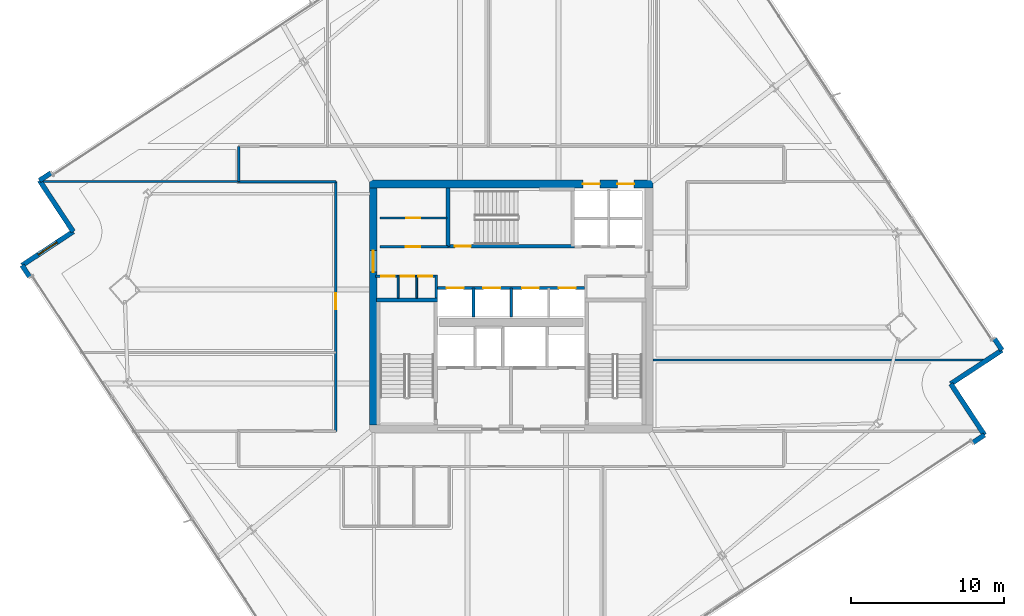
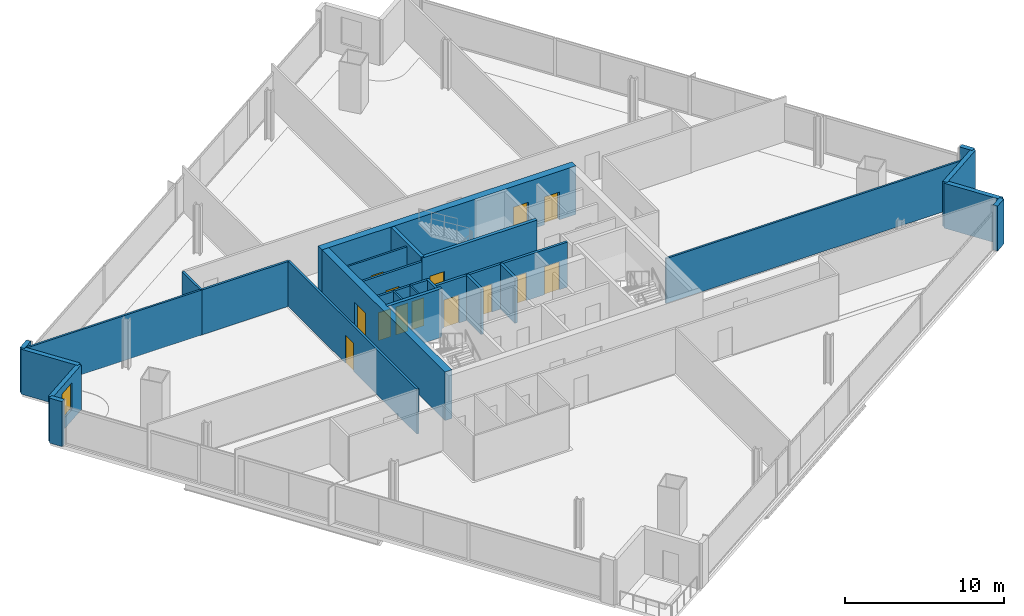
# One storey, part 22 of 29: 27 walls, 14 doors, 1 window, 15 openings.
"""IFC4 building model written with IfcOpenShell, lengths in metres."""

from ifc_helpers import new_model, si_unit, direction, frame, frame_2d, origin, place, context, subcontext, project, spatial, rectangle, extrude, material, layer, layer_set, type_object, element, fill, save


model = new_model("IFC4")

# Units and contexts
model_context = context("Model", 3, precision=1e-05, world=origin(), true_north=direction((0.0, 1.0)))
body_context = subcontext(model_context, "Body", "Model", "MODEL_VIEW")
ifc_project = project(units=[si_unit("LENGTHUNIT", "METRE"), si_unit("AREAUNIT", "SQUARE_METRE"), si_unit("VOLUMEUNIT", "CUBIC_METRE"), si_unit("PLANEANGLEUNIT", "RADIAN"), si_unit("MASSUNIT", "GRAM", prefix="KILO")], contexts=[model_context])

# Site, building, storey
site_placement = place(None, origin())
site = spatial("IfcSite", under=ifc_project, at=site_placement, CompositionType="ELEMENT")
building_placement = place(site_placement, origin())
building = spatial("IfcBuilding", under=site, at=building_placement, Name="Haldenkirk Collegiate Tower", CompositionType="ELEMENT")
storey_placement = place(building_placement, frame((0.0, 0.0, 140.699951171875)))
storey = spatial("IfcBuildingStorey", under=building, at=storey_placement, Name="L34", CompositionType="ELEMENT", Elevation=140.699951171875)

# Wall, openings, doors
ifc_material_1 = material(Name="Concrete f'c 55 MPa", Category="concrete")
ifc_layer_1 = layer(ifc_material_1, 0.5)
ifc_layer_set_1 = layer_set([ifc_layer_1], Name="Concrete f'c 55 MPa")
wall_type_1 = type_object("IfcWallType", Name="WL-CORE-500", PredefinedType="SHEAR", material=ifc_layer_set_1)
wall_1_placement = place(storey_placement, frame((26.75, 34.0, 0.0), z_axis=(0.0, 0.0, 1.0), x_axis=(1.0, 0.0, 0.0)))
wall_1 = element("IfcWall", 1, at=wall_1_placement, inside=storey, type_object=wall_type_1, Name="L34 central core shear wall N", PredefinedType="SHEAR", context=body_context, shape_type="SweptSolid", body=[
    extrude(rectangle(XDim=18.5, YDim=0.5, at=frame_2d((9.25, 0.0))), origin(), (0.0, 0.0, 1.0), 3.75),
])
opening_1_placement = place(wall_1_placement, frame((13.93505859375, 0.0, 0.0)))
opening_1 = element("IfcOpeningElement", 2, at=opening_1_placement, cuts=wall_1, Name="Opening LD-11", PredefinedType="OPENING", context=body_context, shape_type="SweptSolid", body=[
    extrude(rectangle(XDim=1.10009765625, YDim=2.14990234375, at=frame_2d((0.550048828125, 1.074951171875))), frame((0.0, 0.260009765625, 0.0), z_axis=(0.0, -1.0, 0.0), x_axis=(1.0, 0.0, 0.0)), (0.0, 0.0, 1.0), 0.52001953125),
])
opening_2_placement = place(wall_1_placement, frame((16.18505859375, 0.0, 0.0)))
opening_2 = element("IfcOpeningElement", 3, at=opening_2_placement, cuts=wall_1, Name="Opening LD-11", PredefinedType="OPENING", context=body_context, shape_type="SweptSolid", body=[
    extrude(rectangle(XDim=1.10009765625, YDim=2.14990234375, at=frame_2d((0.550048828125, 1.074951171875))), frame((0.0, 0.260009765625, 0.0), z_axis=(0.0, -1.0, 0.0), x_axis=(1.0, 0.0, 0.0)), (0.0, 0.0, 1.0), 0.52001953125),
])
ifc_material_2 = material(Name="Brushed architectural stainless steel", Category="steel")
ifc_layer_2 = layer(ifc_material_2, 0.06005859375)
ifc_layer_set_2 = layer_set([ifc_layer_2], Name="Brushed architectural stainless steel")
door_type_1 = type_object("IfcDoorType", Name="LD-PASS-1100", OperationType="NOTDEFINED", PredefinedType="DOOR", material=ifc_layer_set_2)
door_1_placement = place(opening_1_placement, origin())
door_1 = element("IfcDoor", 4, at=door_1_placement, inside=storey, type_object=door_type_1, Name="L34 Elevator PM3 sliding landing door", OperationType="SLIDING_TO_LEFT", OverallHeight=2.14990234375, OverallWidth=1.10009765625, PredefinedType="DOOR", context=body_context, shape_type="SweptSolid", body=[
    extrude(rectangle(XDim=1.10009765625, YDim=2.14990234375, at=frame_2d((0.550048828125, 1.074951171875))), frame((0.0, 0.02490234375, 0.0), z_axis=(0.0, -1.0, 0.0), x_axis=(1.0, 0.0, 0.0)), (0.0, 0.0, 1.0), 0.050048828125),
])
fill(opening_1, door_1)
door_2_placement = place(opening_2_placement, origin())
door_2 = element("IfcDoor", 5, at=door_2_placement, inside=storey, type_object=door_type_1, Name="L34 Elevator PM4 sliding landing door", OperationType="SLIDING_TO_LEFT", OverallHeight=2.14990234375, OverallWidth=1.10009765625, PredefinedType="DOOR", context=body_context, shape_type="SweptSolid", body=[
    extrude(rectangle(XDim=1.10009765625, YDim=2.14990234375, at=frame_2d((0.550048828125, 1.074951171875))), frame((0.0, 0.02490234375, 0.0), z_axis=(0.0, -1.0, 0.0), x_axis=(1.0, 0.0, 0.0)), (0.0, 0.0, 1.0), 0.050048828125),
])
fill(opening_2, door_2)

# Wall, opening, door
wall_2_placement = place(storey_placement, frame((27.0, 18.25, 0.0), z_axis=(0.0, 0.0, 1.0), x_axis=(0.0, 1.0, 0.0)))
wall_2 = element("IfcWall", 6, at=wall_2_placement, inside=storey, type_object=wall_type_1, Name="L34 central core shear wall W", PredefinedType="SHEAR", context=body_context, shape_type="SweptSolid", body=[
    extrude(rectangle(XDim=15.5, YDim=0.5, at=frame_2d((7.75, 0.0))), origin(), (0.0, 0.0, 1.0), 3.75),
])
opening_3_placement = place(wall_2_placement, frame((9.989990234375, 0.0, 0.0)))
opening_3 = element("IfcOpeningElement", 7, at=opening_3_placement, cuts=wall_2, Name="Opening D-03", PredefinedType="OPENING", context=body_context, shape_type="SweptSolid", body=[
    extrude(rectangle(XDim=1.39990234375, YDim=2.199951171875, at=frame_2d((0.699951171875, 1.10009765625))), frame((0.0, 0.260009765625, 0.0), z_axis=(0.0, -1.0, 0.0), x_axis=(1.0, 0.0, 0.0)), (0.0, 0.0, 1.0), 0.52001953125),
])
ifc_material_3 = material(Name="Galvanized fire-rated hollow steel door", Category="steel")
ifc_layer_3 = layer(ifc_material_3, 0.06005859375)
ifc_layer_set_3 = layer_set([ifc_layer_3], Name="Galvanized fire-rated hollow steel door")
door_type_2 = type_object("IfcDoorType", Name="DR-LOBBY-FD90-1400", OperationType="NOTDEFINED", PredefinedType="DOOR", material=ifc_layer_set_3)
door_3_placement = place(opening_3_placement, origin())
door_3 = element("IfcDoor", 8, at=door_3_placement, inside=storey, type_object=door_type_2, Name="L34 west lift lobby portal", OperationType="DOUBLE_DOOR_SINGLE_SWING", OverallHeight=2.199951171875, OverallWidth=1.39990234375, PredefinedType="DOOR", context=body_context, shape_type="SweptSolid", body=[
    extrude(rectangle(XDim=1.39990234375, YDim=2.199951171875, at=frame_2d((0.699951171875, 1.10009765625))), frame((0.0, 0.02490234375, 0.0), z_axis=(0.0, -1.0, 0.0), x_axis=(1.0, 0.0, 0.0)), (0.0, 0.0, 1.0), 0.050048828125),
])
fill(opening_3, door_3)

# Walls
ifc_material_4 = material(Name="Precast concrete f'c 40 MPa", Category="concrete")
ifc_layer_4 = layer(ifc_material_4, 0.320068359375)
ifc_layer_set_4 = layer_set([ifc_layer_4], Name="Precast concrete f'c 40 MPa")
wall_type_2 = type_object("IfcWallType", Name="WL-EXT-TWR-320", PredefinedType="STANDARD", material=ifc_layer_set_4)
wall_3_placement = place(storey_placement, frame((66.903076171875, 17.60693359375, 0.0), z_axis=(0.0, 0.0, 1.0), x_axis=(-0.835331867967, -0.549746005314, 0.0)))
element("IfcWall", 9, at=wall_3_placement, inside=storey, type_object=wall_type_2, Name="L34 precast corner pier SL", PredefinedType="STANDARD", context=body_context, shape_type="SweptSolid", body=[
    extrude(rectangle(XDim=0.900146484375, YDim=0.320068359375, at=frame_2d((0.4501953125, 0.0))), origin(), (0.0, 0.0, 1.0), 3.4599609375),
])
for number, where, z_axis, x_axis, name in (
    (10, (64.7041015625, 20.9482421875, 0.0), (0.0, 0.0, 1.0), (0.549746530767, -0.835331522158, 0.0), "L34 bronze precast notch wall 02"),
    (11, (68.04541015625, 23.147216796875, 0.0), (0.0, 0.0, 1.0), (-0.835331522158, -0.549746530767, 0.0), "L34 bronze precast notch wall 03"),
):
    element("IfcWall", number, at=place(storey_placement, frame(where, z_axis=z_axis, x_axis=x_axis)), inside=storey, type_object=wall_type_2, Name=name, PredefinedType="STANDARD", context=body_context, shape_type="SweptSolid", body=[
        extrude(rectangle(XDim=4.0, YDim=0.320068359375, at=frame_2d((2.0, 0.0))), origin(), (0.0, 0.0, 1.0), 3.4599609375),
    ])
for number, where, z_axis, x_axis, name in (
    (12, (67.550537109375, 23.89892578125, 0.0), (0.0, 0.0, 1.0), (0.549870573331, -0.83524987434, 0.0), "L34 precast corner pier ER"),
    (13, (5.20703125, 34.22607421875, 0.0), (0.0, 0.0, 1.0), (0.83524987434, 0.549870573331, 0.0), "L34 precast corner pier NL"),
):
    element("IfcWall", number, at=place(storey_placement, frame(where, z_axis=z_axis, x_axis=x_axis)), inside=storey, type_object=wall_type_2, Name=name, PredefinedType="STANDARD", context=body_context, shape_type="SweptSolid", body=[
        extrude(rectangle(XDim=0.89990234375, YDim=0.320068359375, at=frame_2d((0.449951171875, 0.0))), origin(), (0.0, 0.0, 1.0), 3.4599609375),
    ])
wall_4_placement = place(storey_placement, frame((7.406005859375, 30.884765625, 0.0), z_axis=(0.0, 0.0, 1.0), x_axis=(-0.549746530767, 0.835331522158, 0.0)))
element("IfcWall", 14, at=wall_4_placement, inside=storey, type_object=wall_type_2, Name="L34 bronze precast notch wall 08", PredefinedType="STANDARD", context=body_context, shape_type="SweptSolid", body=[
    extrude(rectangle(XDim=4.0, YDim=0.320068359375, at=frame_2d((2.0, 0.0))), origin(), (0.0, 0.0, 1.0), 3.4599609375),
])

# Wall, opening, window
wall_5_placement = place(storey_placement, frame((4.064697265625, 28.685791015625, 0.0), z_axis=(0.0, 0.0, 1.0), x_axis=(0.835331522158, 0.549746530767, 0.0)))
wall_5 = element("IfcWall", 15, at=wall_5_placement, inside=storey, type_object=wall_type_2, Name="L34 bronze precast notch wall 09", PredefinedType="STANDARD", context=body_context, shape_type="SweptSolid", body=[
    extrude(rectangle(XDim=4.0, YDim=0.320068359375, at=frame_2d((2.0, 0.0))), origin(), (0.0, 0.0, 1.0), 3.4599609375),
])
opening_4_placement = place(wall_5_placement, frame((1.27490234375, 0.0, 0.85009765625)))
opening_4 = element("IfcOpeningElement", 16, at=opening_4_placement, cuts=wall_5, Name="Opening W-05", PredefinedType="OPENING", context=body_context, shape_type="SweptSolid", body=[
    extrude(rectangle(XDim=1.449951171875, YDim=2.050048828125, at=frame_2d((0.72509765625, 1.02490234375))), frame((0.0, 0.169921875, 0.0), z_axis=(0.0, -1.0, 0.0), x_axis=(1.0, 0.0, 0.0)), (0.0, 0.0, 1.0), 0.340087890625),
])
ifc_material_5 = material(Name="Low-E argon triple insulating glass", Category="glass")
ifc_layer_5 = layer(ifc_material_5, 0.090087890625)
ifc_layer_set_5 = layer_set([ifc_layer_5], Name="Low-E argon triple insulating glass")
window_type = type_object("IfcWindowType", Name="WN-Z3-1450X2050", PartitioningType="SINGLE_PANEL", PredefinedType="WINDOW", material=ifc_layer_set_5)
window_placement = place(opening_4_placement, origin())
window = element("IfcWindow", 17, at=window_placement, inside=storey, type_object=window_type, Name="L34 precast-frame academic window 8", OverallHeight=2.050048828125, OverallWidth=1.449951171875, PartitioningType="SINGLE_PANEL", PredefinedType="WINDOW", context=body_context, shape_type="SweptSolid", body=[
    extrude(rectangle(XDim=1.449951171875, YDim=2.050048828125, at=frame_2d((0.72509765625, 1.02490234375))), frame((0.0, 0.030029296875, 0.0), z_axis=(0.0, -1.0, 0.0), x_axis=(1.0, 0.0, 0.0)), (0.0, 0.0, 1.0), 0.06005859375),
])
fill(opening_4, window)

# Wall
wall_6_placement = place(storey_placement, frame((4.559326171875, 27.933837890625, 0.0), z_axis=(0.0, 0.0, 1.0), x_axis=(-0.549556717107, 0.835456411001, 0.0)))
element("IfcWall", 18, at=wall_6_placement, inside=storey, type_object=wall_type_2, Name="L34 precast corner pier WR", PredefinedType="STANDARD", context=body_context, shape_type="SweptSolid", body=[
    extrude(rectangle(XDim=0.900146484375, YDim=0.320068359375, at=frame_2d((0.4501953125, 0.0))), origin(), (0.0, 0.0, 1.0), 3.4599609375),
])

# Wall, openings, doors
ifc_material_6 = material(Name="Acoustic fire-rated gypsum partition", Category="concrete")
ifc_layer_6 = layer(ifc_material_6, 0.159912109375)
ifc_layer_set_6 = layer_set([ifc_layer_6], Name="Acoustic fire-rated gypsum partition")
wall_type_3 = type_object("IfcWallType", Name="WL-INT-CORR-160", PredefinedType="PARTITIONING", material=ifc_layer_set_6)
wall_7_placement = place(storey_placement, frame((27.14990234375, 27.97998046875, 0.0), z_axis=(0.0, 0.0, 1.0), x_axis=(1.0, 0.0, 0.0)))
wall_7 = element("IfcWall", 19, at=wall_7_placement, inside=storey, type_object=wall_type_3, Name="L34 interior partition IW-L34-VCSW-N", PredefinedType="PARTITIONING", context=body_context, shape_type="SweptSolid", body=[
    extrude(rectangle(XDim=4.050048828125, YDim=0.159912109375, at=frame_2d((2.02490234375, 0.0))), origin(), (0.0, 0.0, 1.0), 3.4599609375),
])
opening_5_placement = place(wall_7_placement, frame((0.360107421875, 0.0, 0.0)))
opening_5 = element("IfcOpeningElement", 20, at=opening_5_placement, cuts=wall_7, Name="Opening D-11", PredefinedType="OPENING", context=body_context, shape_type="SweptSolid", body=[
    extrude(rectangle(XDim=0.89990234375, YDim=2.14990234375, at=frame_2d((0.449951171875, 1.074951171875))), frame((0.0, 0.08984375, 0.0), z_axis=(0.0, -1.0, 0.0), x_axis=(1.0, 0.0, 0.0)), (0.0, 0.0, 1.0), 0.179931640625),
])
opening_6_placement = place(wall_7_placement, frame((1.6298828125, 0.0, 0.0)))
opening_6 = element("IfcOpeningElement", 21, at=opening_6_placement, cuts=wall_7, Name="Opening D-11", PredefinedType="OPENING", context=body_context, shape_type="SweptSolid", body=[
    extrude(rectangle(XDim=0.89990234375, YDim=2.14990234375, at=frame_2d((0.449951171875, 1.074951171875))), frame((0.0, 0.08984375, 0.0), z_axis=(0.0, -1.0, 0.0), x_axis=(1.0, 0.0, 0.0)), (0.0, 0.0, 1.0), 0.179931640625),
])
opening_7_placement = place(wall_7_placement, frame((2.78759765625, 0.0, 0.0)))
opening_7 = element("IfcOpeningElement", 22, at=opening_7_placement, cuts=wall_7, Name="Opening D-11", PredefinedType="OPENING", context=body_context, shape_type="SweptSolid", body=[
    extrude(rectangle(XDim=0.89990234375, YDim=2.14990234375, at=frame_2d((0.449951171875, 1.074951171875))), frame((0.0, 0.08984375, 0.0), z_axis=(0.0, -1.0, 0.0), x_axis=(1.0, 0.0, 0.0)), (0.0, 0.0, 1.0), 0.179931640625),
])
ifc_material_7 = material(Name="Solid-core architectural oak fire door", Category="wood")
ifc_layer_7 = layer(ifc_material_7, 0.06005859375)
ifc_layer_set_7 = layer_set([ifc_layer_7], Name="Solid-core architectural oak fire door")
door_type_3 = type_object("IfcDoorType", Name="DR-INT-FD60-900", OperationType="NOTDEFINED", PredefinedType="DOOR", material=ifc_layer_set_7)
door_4_placement = place(opening_5_placement, origin())
door_4 = element("IfcDoor", 23, at=door_4_placement, inside=storey, type_object=door_type_3, Name="L34 core study booth door", OperationType="SINGLE_SWING_RIGHT", OverallHeight=2.14990234375, OverallWidth=0.89990234375, PredefinedType="DOOR", context=body_context, shape_type="SweptSolid", body=[
    extrude(rectangle(XDim=0.89990234375, YDim=2.14990234375, at=frame_2d((0.449951171875, 1.074951171875))), frame((0.0, 0.02490234375, 0.0), z_axis=(0.0, -1.0, 0.0), x_axis=(1.0, 0.0, 0.0)), (0.0, 0.0, 1.0), 0.050048828125),
])
fill(opening_5, door_4)
door_5_placement = place(opening_6_placement, origin())
door_5 = element("IfcDoor", 24, at=door_5_placement, inside=storey, type_object=door_type_3, Name="L34 core cleaners door", OperationType="SINGLE_SWING_LEFT", OverallHeight=2.14990234375, OverallWidth=0.89990234375, PredefinedType="DOOR", context=body_context, shape_type="SweptSolid", body=[
    extrude(rectangle(XDim=0.89990234375, YDim=2.14990234375, at=frame_2d((0.449951171875, 1.074951171875))), frame((0.0, 0.02490234375, 0.0), z_axis=(0.0, -1.0, 0.0), x_axis=(1.0, 0.0, 0.0)), (0.0, 0.0, 1.0), 0.050048828125),
])
fill(opening_6, door_5)
door_6_placement = place(opening_7_placement, origin())
door_6 = element("IfcDoor", 25, at=door_6_placement, inside=storey, type_object=door_type_3, Name="L34 core stationery door", OperationType="SINGLE_SWING_RIGHT", OverallHeight=2.14990234375, OverallWidth=0.89990234375, PredefinedType="DOOR", context=body_context, shape_type="SweptSolid", body=[
    extrude(rectangle(XDim=0.89990234375, YDim=2.14990234375, at=frame_2d((0.449951171875, 1.074951171875))), frame((0.0, 0.02490234375, 0.0), z_axis=(0.0, -1.0, 0.0), x_axis=(1.0, 0.0, 0.0)), (0.0, 0.0, 1.0), 0.050048828125),
])
fill(opening_7, door_6)

# Wall
wall_8_placement = place(storey_placement, frame((31.1201171875, 26.5400390625, 0.0), z_axis=(0.0, 0.0, 1.0), x_axis=(0.0, 1.0, 0.0)))
element("IfcWall", 26, at=wall_8_placement, inside=storey, type_object=wall_type_3, Name="L34 interior partition IW-L34-VCSW-E", PredefinedType="PARTITIONING", context=body_context, shape_type="SweptSolid", body=[
    extrude(rectangle(XDim=1.510009765625, YDim=0.159912109375, at=frame_2d((0.7548828125, 0.0))), origin(), (0.0, 0.0, 1.0), 3.4599609375),
])

# Wall, opening, door
wall_9_placement = place(storey_placement, frame((27.449951171875, 29.89990234375, 0.0), z_axis=(0.0, 0.0, 1.0), x_axis=(1.0, 0.0, 0.0)))
wall_9 = element("IfcWall", 27, at=wall_9_placement, inside=storey, type_object=wall_type_3, Name="L34 interior partition IW-L34-PLS", PredefinedType="PARTITIONING", context=body_context, shape_type="SweptSolid", body=[
    extrude(rectangle(XDim=4.429931640625, YDim=0.159912109375, at=frame_2d((2.21484375, 0.0))), origin(), (0.0, 0.0, 1.0), 3.4599609375),
])
opening_8_placement = place(wall_9_placement, frame((1.675048828125, 0.0, 0.0)))
opening_8 = element("IfcOpeningElement", 28, at=opening_8_placement, cuts=wall_9, Name="Opening D-10", PredefinedType="OPENING", context=body_context, shape_type="SweptSolid", body=[
    extrude(rectangle(XDim=0.949951171875, YDim=2.14990234375, at=frame_2d((0.47509765625, 1.074951171875))), frame((0.0, 0.08984375, 0.0), z_axis=(0.0, -1.0, 0.0), x_axis=(1.0, 0.0, 0.0)), (0.0, 0.0, 1.0), 0.179931640625),
])
ifc_layer_8 = layer(ifc_material_7, 0.06005859375)
ifc_layer_set_8 = layer_set([ifc_layer_8], Name="Solid-core architectural oak fire door")
door_type_4 = type_object("IfcDoorType", Name="DR-INT-FD60-950", OperationType="NOTDEFINED", PredefinedType="DOOR", material=ifc_layer_set_8)
door_7_placement = place(opening_8_placement, origin())
door_7 = element("IfcDoor", 29, at=door_7_placement, inside=storey, type_object=door_type_4, Name="L34 consultation door", OperationType="SINGLE_SWING_RIGHT", OverallHeight=2.14990234375, OverallWidth=0.949951171875, PredefinedType="DOOR", context=body_context, shape_type="SweptSolid", body=[
    extrude(rectangle(XDim=0.949951171875, YDim=2.14990234375, at=frame_2d((0.47509765625, 1.074951171875))), frame((0.0, 0.02490234375, 0.0), z_axis=(0.0, -1.0, 0.0), x_axis=(1.0, 0.0, 0.0)), (0.0, 0.0, 1.0), 0.050048828125),
])
fill(opening_8, door_7)

# Wall
wall_10_placement = place(storey_placement, frame((18.199951171875, 34.14990234375, 0.0), z_axis=(0.0, 0.0, 1.0), x_axis=(1.0, 0.0, 0.0)))
element("IfcWall", 30, at=wall_10_placement, inside=storey, type_object=wall_type_3, Name="L34 interior partition IW-L34-CNW", PredefinedType="PARTITIONING", context=body_context, shape_type="SweptSolid", body=[
    extrude(rectangle(XDim=6.35009765625, YDim=0.159912109375, at=frame_2d((3.175048828125, 0.0))), origin(), (0.0, 0.0, 1.0), 3.4599609375),
])

# Wall, opening, door
wall_11_placement = place(storey_placement, frame((24.550048828125, 17.85009765625, 0.0), z_axis=(0.0, 0.0, 1.0), x_axis=(0.0, 1.0, 0.0)))
wall_11 = element("IfcWall", 31, at=wall_11_placement, inside=storey, type_object=wall_type_3, Name="L34 interior partition IW-L34-CW", PredefinedType="PARTITIONING", context=body_context, shape_type="SweptSolid", body=[
    extrude(rectangle(XDim=16.2998046875, YDim=0.159912109375, at=frame_2d((8.14990234375, 0.0))), origin(), (0.0, 0.0, 1.0), 3.4599609375),
])
opening_9_placement = place(wall_11_placement, frame((7.967041015625, 0.0, 0.0)))
opening_9 = element("IfcOpeningElement", 32, at=opening_9_placement, cuts=wall_11, Name="Opening D-09", PredefinedType="OPENING", context=body_context, shape_type="SweptSolid", body=[
    extrude(rectangle(XDim=1.050048828125, YDim=2.14990234375, at=frame_2d((0.52490234375, 1.074951171875))), frame((0.0, 0.08984375, 0.0), z_axis=(0.0, -1.0, 0.0), x_axis=(1.0, 0.0, 0.0)), (0.0, 0.0, 1.0), 0.179931640625),
])
ifc_layer_9 = layer(ifc_material_7, 0.06005859375)
ifc_layer_set_9 = layer_set([ifc_layer_9], Name="Solid-core architectural oak fire door")
door_type_5 = type_object("IfcDoorType", Name="DR-INT-FD60-1050", OperationType="NOTDEFINED", PredefinedType="DOOR", material=ifc_layer_set_9)
door_8_placement = place(opening_9_placement, origin())
door_8 = element("IfcDoor", 33, at=door_8_placement, inside=storey, type_object=door_type_5, Name="L34 Rare Folio Vault 8 door", OperationType="SINGLE_SWING_RIGHT", OverallHeight=2.14990234375, OverallWidth=1.050048828125, PredefinedType="DOOR", context=body_context, shape_type="SweptSolid", body=[
    extrude(rectangle(XDim=1.050048828125, YDim=2.14990234375, at=frame_2d((0.52490234375, 1.074951171875))), frame((0.0, 0.02490234375, 0.0), z_axis=(0.0, -1.0, 0.0), x_axis=(1.0, 0.0, 0.0)), (0.0, 0.0, 1.0), 0.050048828125),
])
fill(opening_9, door_8)

# Wall
wall_12_placement = place(storey_placement, frame((18.199951171875, 34.14990234375, 0.0), z_axis=(0.0, 0.0, 1.0), x_axis=(0.0, 1.0, 0.0)))
element("IfcWall", 34, at=wall_12_placement, inside=storey, type_object=wall_type_3, Name="L34 interior partition IW-L34-CNL", PredefinedType="PARTITIONING", context=body_context, shape_type="SweptSolid", body=[
    extrude(rectangle(XDim=2.300048828125, YDim=0.159912109375, at=frame_2d((1.14990234375, 0.0))), origin(), (0.0, 0.0, 1.0), 3.4599609375),
])

# Wall, opening, door
ifc_layer_10 = layer(ifc_material_6, 0.139892578125)
ifc_layer_set_10 = layer_set([ifc_layer_10], Name="Acoustic fire-rated gypsum partition")
wall_type_4 = type_object("IfcWallType", Name="WL-INT-DIV-140", PredefinedType="PARTITIONING", material=ifc_layer_set_10)
wall_13_placement = place(storey_placement, frame((27.449951171875, 31.780029296875, 0.0), z_axis=(0.0, 0.0, 1.0), x_axis=(1.0, 0.0, 0.0)))
wall_13 = element("IfcWall", 35, at=wall_13_placement, inside=storey, type_object=wall_type_4, Name="L34 interior partition IW-L34-PLDIVH", PredefinedType="PARTITIONING", context=body_context, shape_type="SweptSolid", body=[
    extrude(rectangle(XDim=4.35009765625, YDim=0.139892578125, at=frame_2d((2.175048828125, 0.0))), origin(), (0.0, 0.0, 1.0), 3.4599609375),
])
opening_10_placement = place(wall_13_placement, frame((1.699951171875, 0.0, 0.0)))
opening_10 = element("IfcOpeningElement", 36, at=opening_10_placement, cuts=wall_13, Name="Opening D-13", PredefinedType="OPENING", context=body_context, shape_type="SweptSolid", body=[
    extrude(rectangle(XDim=0.89990234375, YDim=2.14990234375, at=frame_2d((0.449951171875, 1.074951171875))), frame((0.0, 0.079833984375, 0.0), z_axis=(0.0, -1.0, 0.0), x_axis=(1.0, 0.0, 0.0)), (0.0, 0.0, 1.0), 0.159912109375),
])
ifc_layer_11 = layer(ifc_material_7, 0.06005859375)
ifc_layer_set_11 = layer_set([ifc_layer_11], Name="Solid-core architectural oak fire door")
door_type_6 = type_object("IfcDoorType", Name="DR-INT-STD-900", OperationType="NOTDEFINED", PredefinedType="DOOR", material=ifc_layer_set_11)
door_9_placement = place(opening_10_placement, origin())
door_9 = element("IfcDoor", 37, at=door_9_placement, inside=storey, type_object=door_type_6, Name="L34 folio vault door", OperationType="SINGLE_SWING_LEFT", OverallHeight=2.14990234375, OverallWidth=0.89990234375, PredefinedType="DOOR", context=body_context, shape_type="SweptSolid", body=[
    extrude(rectangle(XDim=0.89990234375, YDim=2.14990234375, at=frame_2d((0.449951171875, 1.074951171875))), frame((0.0, 0.02490234375, 0.0), z_axis=(0.0, -1.0, 0.0), x_axis=(1.0, 0.0, 0.0)), (0.0, 0.0, 1.0), 0.050048828125),
])
fill(opening_10, door_9)

# Walls
wall_14_placement = place(storey_placement, frame((5.304931640625, 34.14990234375, 0.0), z_axis=(0.0, 0.0, 1.0), x_axis=(1.0, 0.0, 0.0)))
element("IfcWall", 38, at=wall_14_placement, inside=storey, type_object=wall_type_4, Name="L34 interior partition IW-L34-BWN", PredefinedType="PARTITIONING", context=body_context, shape_type="SweptSolid", body=[
    extrude(rectangle(XDim=12.89501953125, YDim=0.139892578125, at=frame_2d((6.447509765625, 0.0))), origin(), (0.0, 0.0, 1.0), 3.4599609375),
])
wall_15_placement = place(storey_placement, frame((45.25, 22.5, 0.0), z_axis=(0.0, 0.0, 1.0), x_axis=(1.0, 0.0, 0.0)))
element("IfcWall", 39, at=wall_15_placement, inside=storey, type_object=wall_type_4, Name="L34 interior partition IW-L34-RE1", PredefinedType="PARTITIONING", context=body_context, shape_type="SweptSolid", body=[
    extrude(rectangle(XDim=21.739013671875, YDim=0.139892578125, at=frame_2d((10.86962890625, 0.0))), origin(), (0.0, 0.0, 1.0), 3.4599609375),
])

# Wall, openings, doors
ifc_material_8 = material(Name="Fire-rated gypsum shaftboard assembly", Category="concrete")
ifc_layer_12 = layer(ifc_material_8, 0.179931640625)
ifc_layer_set_12 = layer_set([ifc_layer_12], Name="Fire-rated gypsum shaftboard assembly")
wall_type_5 = type_object("IfcWallType", Name="WL-INT-SHAFT-180", PredefinedType="PARTITIONING", material=ifc_layer_set_12)
wall_16_placement = place(storey_placement, frame((31.199951171875, 27.199951171875, 0.0), z_axis=(0.0, 0.0, 1.0), x_axis=(1.0, 0.0, 0.0)))
wall_16 = element("IfcWall", 40, at=wall_16_placement, inside=storey, type_object=wall_type_5, Name="L34 interior partition IW-L34-PHN", PredefinedType="PARTITIONING", context=body_context, shape_type="SweptSolid", body=[
    extrude(rectangle(XDim=9.60009765625, YDim=0.179931640625, at=frame_2d((4.800048828125, 0.0))), origin(), (0.0, 0.0, 1.0), 3.4599609375),
])
opening_11_placement = place(wall_16_placement, frame((0.590087890625, 0.0, 0.0)))
opening_11 = element("IfcOpeningElement", 41, at=opening_11_placement, cuts=wall_16, Name="Opening LD-11", PredefinedType="OPENING", context=body_context, shape_type="SweptSolid", body=[
    extrude(rectangle(XDim=1.10009765625, YDim=2.14990234375, at=frame_2d((0.550048828125, 1.074951171875))), frame((0.0, 0.099853515625, 0.0), z_axis=(0.0, -1.0, 0.0), x_axis=(1.0, 0.0, 0.0)), (0.0, 0.0, 1.0), 0.199951171875),
])
opening_12_placement = place(wall_16_placement, frame((2.989990234375, 0.0, 0.0)))
opening_12 = element("IfcOpeningElement", 42, at=opening_12_placement, cuts=wall_16, Name="Opening LD-11", PredefinedType="OPENING", context=body_context, shape_type="SweptSolid", body=[
    extrude(rectangle(XDim=1.10009765625, YDim=2.14990234375, at=frame_2d((0.550048828125, 1.074951171875))), frame((0.0, 0.099853515625, 0.0), z_axis=(0.0, -1.0, 0.0), x_axis=(1.0, 0.0, 0.0)), (0.0, 0.0, 1.0), 0.199951171875),
])
opening_13_placement = place(wall_16_placement, frame((5.510009765625, 0.0, 0.0)))
opening_13 = element("IfcOpeningElement", 43, at=opening_13_placement, cuts=wall_16, Name="Opening LD-11", PredefinedType="OPENING", context=body_context, shape_type="SweptSolid", body=[
    extrude(rectangle(XDim=1.10009765625, YDim=2.14990234375, at=frame_2d((0.550048828125, 1.074951171875))), frame((0.0, 0.099853515625, 0.0), z_axis=(0.0, -1.0, 0.0), x_axis=(1.0, 0.0, 0.0)), (0.0, 0.0, 1.0), 0.199951171875),
])
opening_14_placement = place(wall_16_placement, frame((7.909912109375, 0.0, 0.0)))
opening_14 = element("IfcOpeningElement", 44, at=opening_14_placement, cuts=wall_16, Name="Opening LD-11", PredefinedType="OPENING", context=body_context, shape_type="SweptSolid", body=[
    extrude(rectangle(XDim=1.10009765625, YDim=2.14990234375, at=frame_2d((0.550048828125, 1.074951171875))), frame((0.0, 0.099853515625, 0.0), z_axis=(0.0, -1.0, 0.0), x_axis=(1.0, 0.0, 0.0)), (0.0, 0.0, 1.0), 0.199951171875),
])
door_10_placement = place(opening_11_placement, origin())
door_10 = element("IfcDoor", 45, at=door_10_placement, inside=storey, type_object=door_type_1, Name="L34 Elevator PH1 sliding landing door", OperationType="SLIDING_TO_LEFT", OverallHeight=2.14990234375, OverallWidth=1.10009765625, PredefinedType="DOOR", context=body_context, shape_type="SweptSolid", body=[
    extrude(rectangle(XDim=1.10009765625, YDim=2.14990234375, at=frame_2d((0.550048828125, 1.074951171875))), frame((0.0, 0.02490234375, 0.0), z_axis=(0.0, -1.0, 0.0), x_axis=(1.0, 0.0, 0.0)), (0.0, 0.0, 1.0), 0.050048828125),
])
fill(opening_11, door_10)
door_11_placement = place(opening_12_placement, origin())
door_11 = element("IfcDoor", 46, at=door_11_placement, inside=storey, type_object=door_type_1, Name="L34 Elevator PH2 sliding landing door", OperationType="SLIDING_TO_LEFT", OverallHeight=2.14990234375, OverallWidth=1.10009765625, PredefinedType="DOOR", context=body_context, shape_type="SweptSolid", body=[
    extrude(rectangle(XDim=1.10009765625, YDim=2.14990234375, at=frame_2d((0.550048828125, 1.074951171875))), frame((0.0, 0.02490234375, 0.0), z_axis=(0.0, -1.0, 0.0), x_axis=(1.0, 0.0, 0.0)), (0.0, 0.0, 1.0), 0.050048828125),
])
fill(opening_12, door_11)
door_12_placement = place(opening_13_placement, origin())
door_12 = element("IfcDoor", 47, at=door_12_placement, inside=storey, type_object=door_type_1, Name="L34 Elevator PH3 sliding landing door", OperationType="SLIDING_TO_LEFT", OverallHeight=2.14990234375, OverallWidth=1.10009765625, PredefinedType="DOOR", context=body_context, shape_type="SweptSolid", body=[
    extrude(rectangle(XDim=1.10009765625, YDim=2.14990234375, at=frame_2d((0.550048828125, 1.074951171875))), frame((0.0, 0.02490234375, 0.0), z_axis=(0.0, -1.0, 0.0), x_axis=(1.0, 0.0, 0.0)), (0.0, 0.0, 1.0), 0.050048828125),
])
fill(opening_13, door_12)
door_13_placement = place(opening_14_placement, origin())
door_13 = element("IfcDoor", 48, at=door_13_placement, inside=storey, type_object=door_type_1, Name="L34 Elevator PH4 sliding landing door", OperationType="SLIDING_TO_LEFT", OverallHeight=2.14990234375, OverallWidth=1.10009765625, PredefinedType="DOOR", context=body_context, shape_type="SweptSolid", body=[
    extrude(rectangle(XDim=1.10009765625, YDim=2.14990234375, at=frame_2d((0.550048828125, 1.074951171875))), frame((0.0, 0.02490234375, 0.0), z_axis=(0.0, -1.0, 0.0), x_axis=(1.0, 0.0, 0.0)), (0.0, 0.0, 1.0), 0.050048828125),
])
fill(opening_14, door_13)

# Walls
for number, where, z_axis, x_axis, name in (
    (49, (33.5400390625, 25.300048828125, 0.0), (0.0, 0.0, 1.0), (0.0, 1.0, 0.0), "L34 interior partition IW-L34-PHV1"),
    (50, (36.0, 25.300048828125, 0.0), (0.0, 0.0, 1.0), (0.0, 1.0, 0.0), "L34 interior partition IW-L34-PHV2"),
):
    element("IfcWall", number, at=place(storey_placement, frame(where, z_axis=z_axis, x_axis=x_axis)), inside=storey, type_object=wall_type_5, Name=name, PredefinedType="PARTITIONING", context=body_context, shape_type="SweptSolid", body=[
        extrude(rectangle(XDim=1.89990234375, YDim=0.179931640625, at=frame_2d((0.949951171875, 0.0))), origin(), (0.0, 0.0, 1.0), 3.4599609375),
    ])
ifc_layer_13 = layer(ifc_material_6, 0.1201171875)
ifc_layer_set_13 = layer_set([ifc_layer_13], Name="Acoustic fire-rated gypsum partition")
wall_type_6 = type_object("IfcWallType", Name="WL-INT-WET-120", PredefinedType="PARTITIONING", material=ifc_layer_set_13)
for number, where, z_axis, x_axis, name in (
    (51, (28.6201171875, 26.5400390625, 0.0), (0.0, 0.0, 1.0), (0.0, 1.0, 0.0), "L34 interior partition IW-L34-VCSW-M1"),
    (52, (29.840087890625, 26.5400390625, 0.0), (0.0, 0.0, 1.0), (0.0, 1.0, 0.0), "L34 interior partition IW-L34-VCSW-M2"),
):
    element("IfcWall", number, at=place(storey_placement, frame(where, z_axis=z_axis, x_axis=x_axis)), inside=storey, type_object=wall_type_6, Name=name, PredefinedType="PARTITIONING", context=body_context, shape_type="SweptSolid", body=[
        extrude(rectangle(XDim=1.43994140625, YDim=0.1201171875, at=frame_2d((0.719970703125, 0.0))), origin(), (0.0, 0.0, 1.0), 3.4599609375),
    ])
ifc_layer_14 = layer(ifc_material_1, 0.239990234375)
ifc_layer_set_14 = layer_set([ifc_layer_14], Name="Concrete f'c 55 MPa")
wall_type_7 = type_object("IfcWallType", Name="WL-SHAFT-240", PredefinedType="SHEAR", material=ifc_layer_set_14)
wall_17_placement = place(storey_placement, frame((27.2099609375, 26.419921875, 0.0), z_axis=(0.0, 0.0, 1.0), x_axis=(1.0, 0.0, 0.0)))
element("IfcWall", 53, at=wall_17_placement, inside=storey, type_object=wall_type_7, Name="L34 stair shaft shear wall SW-L34-ST1N", PredefinedType="SHEAR", context=body_context, shape_type="SweptSolid", body=[
    extrude(rectangle(XDim=3.97998046875, YDim=0.239990234375, at=frame_2d((1.989990234375, 0.0))), origin(), (0.0, 0.0, 1.0), 3.75),
])

# Wall, opening, door
wall_18_placement = place(storey_placement, frame((31.760009765625, 29.929931640625, 0.0), z_axis=(0.0, 0.0, 1.0), x_axis=(1.0, 0.0, 0.0)))
wall_18 = element("IfcWall", 54, at=wall_18_placement, inside=storey, type_object=wall_type_7, Name="L34 stair shaft shear wall SW-L34-ST3S", PredefinedType="SHEAR", context=body_context, shape_type="SweptSolid", body=[
    extrude(rectangle(XDim=8.3798828125, YDim=0.239990234375, at=frame_2d((4.18994140625, 0.0))), origin(), (0.0, 0.0, 1.0), 3.75),
])
opening_15_placement = place(wall_18_placement, frame((0.56494140625, 0.0, 0.0)))
opening_15 = element("IfcOpeningElement", 55, at=opening_15_placement, cuts=wall_18, Name="Opening D-01", PredefinedType="OPENING", context=body_context, shape_type="SweptSolid", body=[
    extrude(rectangle(XDim=1.050048828125, YDim=2.14990234375, at=frame_2d((0.52490234375, 1.074951171875))), frame((0.0, 0.1298828125, 0.0), z_axis=(0.0, -1.0, 0.0), x_axis=(1.0, 0.0, 0.0)), (0.0, 0.0, 1.0), 0.260009765625),
])
ifc_layer_15 = layer(ifc_material_3, 0.06005859375)
ifc_layer_set_15 = layer_set([ifc_layer_15], Name="Galvanized fire-rated hollow steel door")
door_type_7 = type_object("IfcDoorType", Name="DR-STAIR-FD90-1050", OperationType="NOTDEFINED", PredefinedType="DOOR", material=ifc_layer_set_15)
door_14_placement = place(opening_15_placement, origin())
door_14 = element("IfcDoor", 56, at=door_14_placement, inside=storey, type_object=door_type_7, Name="L34 lift lobby Stair 3 door", OperationType="SINGLE_SWING_RIGHT", OverallHeight=2.14990234375, OverallWidth=1.050048828125, PredefinedType="DOOR", context=body_context, shape_type="SweptSolid", body=[
    extrude(rectangle(XDim=1.050048828125, YDim=2.14990234375, at=frame_2d((0.52490234375, 1.074951171875))), frame((0.0, 0.02490234375, 0.0), z_axis=(0.0, -1.0, 0.0), x_axis=(1.0, 0.0, 0.0)), (0.0, 0.0, 1.0), 0.050048828125),
])
fill(opening_15, door_14)

# Wall
wall_19_placement = place(storey_placement, frame((31.8798828125, 29.929931640625, 0.0), z_axis=(0.0, 0.0, 1.0), x_axis=(0.0, 1.0, 0.0)))
element("IfcWall", 57, at=wall_19_placement, inside=storey, type_object=wall_type_7, Name="L34 stair shaft shear wall SW-L34-ST3W", PredefinedType="SHEAR", context=body_context, shape_type="SweptSolid", body=[
    extrude(rectangle(XDim=3.7900390625, YDim=0.239990234375, at=frame_2d((1.89501953125, 0.0))), origin(), (0.0, 0.0, 1.0), 3.75),
])

save(model, "model.ifc")
